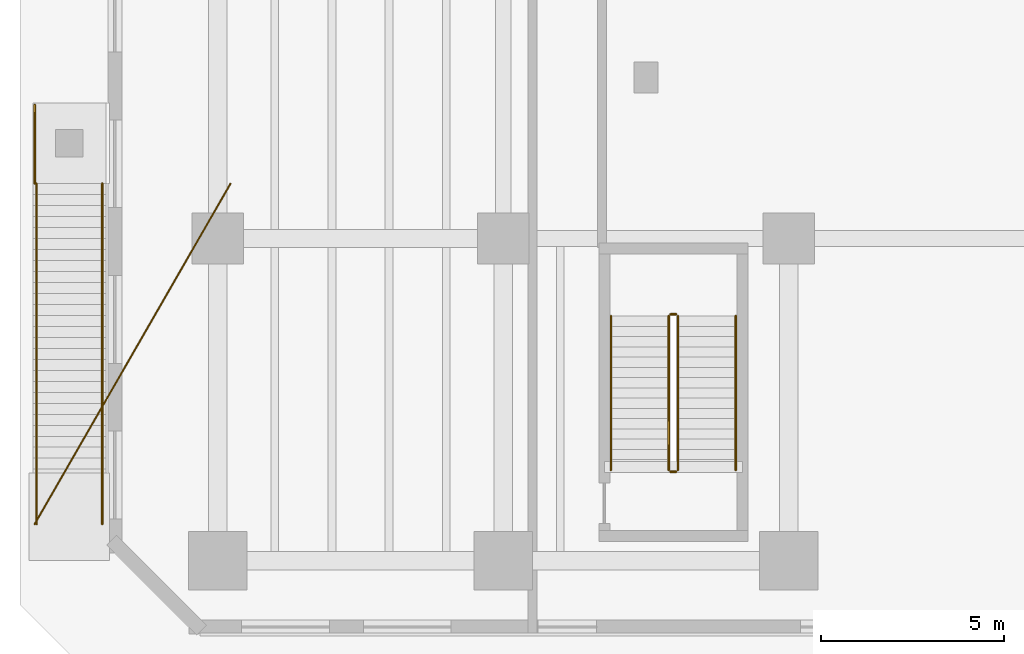
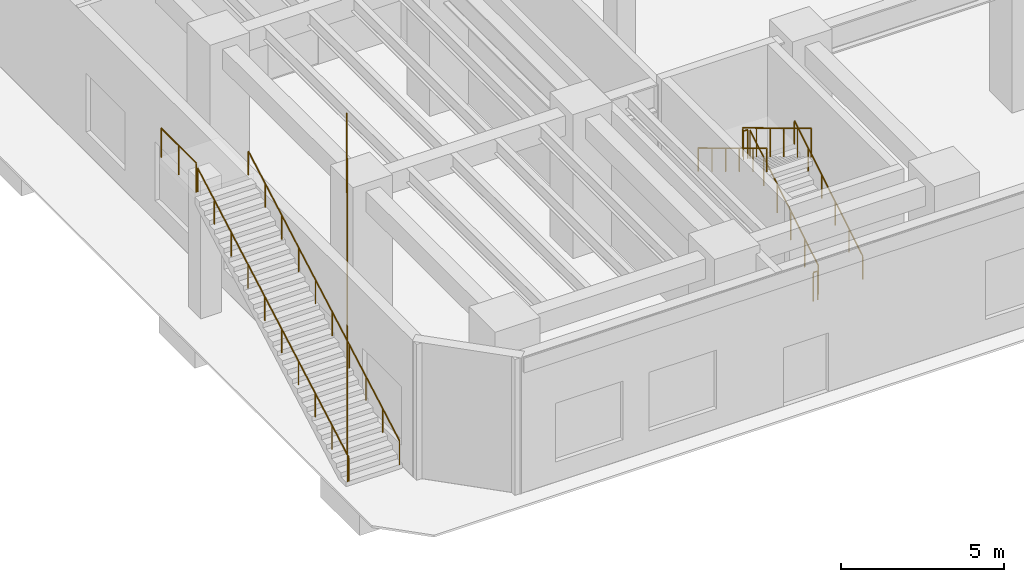
# One storey, part 13 of 17: 10 railings.
"""IFC4 building model written with IfcOpenShell, lengths in metres."""

from ifc_helpers import new_model, si_unit, direction, frame, origin, origin_2d, place, context, subcontext, project, spatial, circle, extrude, material, type_object, element, save


model = new_model("IFC4")

# Units and contexts
model_context = context("Model", 3, precision=1e-05, world=origin(), true_north=direction((0.0, 1.0)))
body_context = subcontext(model_context, "Body", "Model", "MODEL_VIEW")
ifc_project = project(units=[si_unit("LENGTHUNIT", "METRE"), si_unit("AREAUNIT", "SQUARE_METRE"), si_unit("VOLUMEUNIT", "CUBIC_METRE"), si_unit("PLANEANGLEUNIT", "RADIAN"), si_unit("MASSUNIT", "GRAM", prefix="KILO")], contexts=[model_context])

# Site, building, storey
site_placement = place(None, origin())
site = spatial("IfcSite", under=ifc_project, at=site_placement, CompositionType="ELEMENT")
building_placement = place(site_placement, origin())
building = spatial("IfcBuilding", under=site, at=building_placement, Name="Kestravale Grand Hotel", CompositionType="ELEMENT")
storey_placement = place(building_placement, origin())
storey = spatial("IfcBuildingStorey", under=building, at=storey_placement, Name="L00", CompositionType="ELEMENT", Elevation=0.0)

# Railings
ifc_material_1 = material(Name="Champagne-bronze stainless steel and laminated glass guard", Category="steel")
railing_type_1 = type_object("IfcRailingType", Name="RL-EXT-1100", PredefinedType="GUARDRAIL", material=ifc_material_1)
railing_1_placement = place(storey_placement, frame((-5.0, 3.39990234375, 0.168701171875)))
element("IfcRailing", 1, at=railing_1_placement, inside=storey, type_object=railing_type_1, Name="L00 garden stair flight guard", PredefinedType="GUARDRAIL", context=body_context, shape_type="SweptSolid", body=[
    extrude(circle(Radius=0.02392578125, at=origin_2d()), frame((0.0, 0.0, 1.09619140625), z_axis=(0.448213444943, 0.779127259204, 0.438252691649), x_axis=(-0.86680279175, 0.498651100685, 0.0)), (0.0, 0.0, 1.0), 11.9365234375),
    extrude(circle(Radius=0.02099609375, at=origin_2d()), origin(), (0.0, 0.0, 1.0), 1.072021484375),
    extrude(circle(Radius=0.02099609375, at=origin_2d()), frame((0.8916015625, 1.550048828125, 0.871826171875)), (0.0, 0.0, 1.0), 1.072021484375),
    extrude(circle(Radius=0.02099609375, at=origin_2d()), frame((1.783447265625, 3.10009765625, 1.74365234375)), (0.0, 0.0, 1.0), 1.072021484375),
    extrude(circle(Radius=0.02099609375, at=origin_2d()), frame((2.675048828125, 4.64990234375, 2.61572265625)), (0.0, 0.0, 1.0), 1.072021484375),
    extrude(circle(Radius=0.02099609375, at=origin_2d()), frame((3.566650390625, 6.199951171875, 3.487548828125)), (0.0, 0.0, 1.0), 1.072021484375),
    extrude(circle(Radius=0.02099609375, at=origin_2d()), frame((4.45849609375, 7.75, 4.359375)), (0.0, 0.0, 1.0), 1.072021484375),
    extrude(circle(Radius=0.02099609375, at=origin_2d()), frame((5.35009765625, 9.300048828125, 5.231201171875)), (0.0, 0.0, 1.0), 1.072021484375),
])
railing_2_placement = place(storey_placement, frame((-5.0, 12.699951171875, 5.39990234375)))
element("IfcRailing", 2, at=railing_2_placement, inside=storey, type_object=railing_type_1, Name="L00 garden stair landing guard", PredefinedType="GUARDRAIL", context=body_context, shape_type="SweptSolid", body=[
    extrude(circle(Radius=0.02392578125, at=origin_2d()), frame((0.0, 0.0, 1.09619140625), z_axis=(0.0, 1.0, 0.0), x_axis=(-1.0, 0.0, 0.0)), (0.0, 0.0, 1.0), 2.150146484375),
    extrude(circle(Radius=0.02099609375, at=origin_2d()), origin(), (0.0, 0.0, 1.0), 1.072021484375),
    extrude(circle(Radius=0.02099609375, at=origin_2d()), frame((0.0, 1.0751953125, 0.0)), (0.0, 0.0, 1.0), 1.072021484375),
    extrude(circle(Radius=0.02099609375, at=origin_2d()), frame((0.0, 2.150146484375, 0.0)), (0.0, 0.0, 1.0), 1.072021484375),
])
ifc_material_2 = material(Name="Brushed bronze stainless steel handrail", Category="steel")
railing_type_2 = type_object("IfcRailingType", Name="RL-EXT-915", PredefinedType="HANDRAIL", material=ifc_material_2)
for number, where, name in (
    (3, (-4.949951171875, 3.39990234375, 0.168701171875), "L00 garden stair handrail W"),
    (4, (-3.14990234375, 3.39990234375, 0.168701171875), "L00 garden stair handrail E"),
):
    element("IfcRailing", number, at=place(storey_placement, frame(where)), inside=storey, type_object=railing_type_2, Name=name, PredefinedType="HANDRAIL", context=body_context, shape_type="SweptSolid", body=[
        extrude(circle(Radius=0.02392578125, at=origin_2d()), frame((0.0, 0.0, 0.89111328125), z_axis=(0.0, 0.871578592338, 0.490255808102), x_axis=(-1.0, 0.0, 0.0)), (0.0, 0.0, 1.0), 10.67041015625),
        extrude(circle(Radius=0.02099609375, at=origin_2d()), origin(), (0.0, 0.0, 1.0), 0.866943359375),
        extrude(circle(Radius=0.02099609375, at=origin_2d()), frame((0.0, 1.033447265625, 0.581298828125)), (0.0, 0.0, 1.0), 0.866943359375),
        extrude(circle(Radius=0.02099609375, at=origin_2d()), frame((0.0, 2.066650390625, 1.16259765625)), (0.0, 0.0, 1.0), 0.866943359375),
        extrude(circle(Radius=0.02099609375, at=origin_2d()), frame((0.0, 3.10009765625, 1.74365234375)), (0.0, 0.0, 1.0), 0.866943359375),
        extrude(circle(Radius=0.02099609375, at=origin_2d()), frame((0.0, 4.13330078125, 2.324951171875)), (0.0, 0.0, 1.0), 0.866943359375),
        extrude(circle(Radius=0.02099609375, at=origin_2d()), frame((0.0, 5.166748046875, 2.90625)), (0.0, 0.0, 1.0), 0.866943359375),
        extrude(circle(Radius=0.02099609375, at=origin_2d()), frame((0.0, 6.199951171875, 3.487548828125)), (0.0, 0.0, 1.0), 0.866943359375),
        extrude(circle(Radius=0.02099609375, at=origin_2d()), frame((0.0, 7.2333984375, 4.068603515625)), (0.0, 0.0, 1.0), 0.866943359375),
        extrude(circle(Radius=0.02099609375, at=origin_2d()), frame((0.0, 8.2666015625, 4.64990234375)), (0.0, 0.0, 1.0), 0.866943359375),
        extrude(circle(Radius=0.02099609375, at=origin_2d()), frame((0.0, 9.300048828125, 5.231201171875)), (0.0, 0.0, 1.0), 0.866943359375),
    ])
ifc_material_3 = material(Name="Painted tubular steel stair well guard", Category="steel")
railing_type_3 = type_object("IfcRailingType", Name="RL-ST-GRD1100", PredefinedType="GUARDRAIL", material=ifc_material_3)
railing_3_placement = place(storey_placement, frame((12.570068359375, 4.8798828125, 0.168701171875)))
element("IfcRailing", 5, at=railing_3_placement, inside=storey, type_object=railing_type_3, Name="L00 ST-4 stair guard 1", PredefinedType="GUARDRAIL", context=body_context, shape_type="SweptSolid", body=[
    extrude(circle(Radius=0.02392578125, at=origin_2d()), frame((0.0, 0.0, 1.076171875), z_axis=(0.0, 0.856489757249, 0.516164020179), x_axis=(-1.0, 0.0, 0.0)), (0.0, 0.0, 1.0), 4.904052734375),
    extrude(circle(Radius=0.02099609375, at=origin_2d()), origin(), (0.0, 0.0, 1.0), 1.052001953125),
    extrude(circle(Radius=0.02099609375, at=origin_2d()), frame((0.0, 0.840087890625, 0.50634765625)), (0.0, 0.0, 1.0), 1.052001953125),
    extrude(circle(Radius=0.02099609375, at=origin_2d()), frame((0.0, 1.68017578125, 1.012451171875)), (0.0, 0.0, 1.0), 1.052001953125),
    extrude(circle(Radius=0.02099609375, at=origin_2d()), frame((0.0, 2.52001953125, 1.518798828125)), (0.0, 0.0, 1.0), 1.052001953125),
    extrude(circle(Radius=0.02099609375, at=origin_2d()), frame((0.0, 3.360107421875, 2.02490234375)), (0.0, 0.0, 1.0), 1.052001953125),
    extrude(circle(Radius=0.02099609375, at=origin_2d()), frame((0.0, 4.2001953125, 2.53125)), (0.0, 0.0, 1.0), 1.052001953125),
])
railing_4_placement = place(storey_placement, frame((12.52001953125, 9.1298828125, 2.699951171875)))
element("IfcRailing", 6, at=railing_4_placement, inside=storey, type_object=railing_type_3, Name="L00 ST-4 stair guard 2", PredefinedType="GUARDRAIL", context=body_context, shape_type="SweptSolid", body=[
    extrude(circle(Radius=0.02392578125, at=origin_2d()), frame((0.0, 0.0, 1.076171875), z_axis=(-1.0, 0.0, 0.0), x_axis=(0.0, -1.0, 0.0)), (0.0, 0.0, 1.0), 0.14990234375),
    extrude(circle(Radius=0.02099609375, at=origin_2d()), origin(), (0.0, 0.0, 1.0), 1.052001953125),
    extrude(circle(Radius=0.02099609375, at=origin_2d()), frame((-0.14990234375, 0.0, 0.0)), (0.0, 0.0, 1.0), 1.052001953125),
])
railing_5_placement = place(storey_placement, frame((12.320068359375, 9.080078125, 2.86865234375)))
element("IfcRailing", 7, at=railing_5_placement, inside=storey, type_object=railing_type_3, Name="L00 ST-4 stair guard 3", PredefinedType="GUARDRAIL", context=body_context, shape_type="SweptSolid", body=[
    extrude(circle(Radius=0.02392578125, at=origin_2d()), frame((0.0, 0.0, 1.076171875), z_axis=(0.0, -0.856489757249, 0.516164020179), x_axis=(1.0, 0.0, 0.0)), (0.0, 0.0, 1.0), 4.904052734375),
    extrude(circle(Radius=0.02099609375, at=origin_2d()), origin(), (0.0, 0.0, 1.0), 1.052001953125),
    extrude(circle(Radius=0.02099609375, at=origin_2d()), frame((0.0, -0.840087890625, 0.50634765625)), (0.0, 0.0, 1.0), 1.052001953125),
    extrude(circle(Radius=0.02099609375, at=origin_2d()), frame((0.0, -1.68017578125, 1.012451171875)), (0.0, 0.0, 1.0), 1.052001953125),
    extrude(circle(Radius=0.02099609375, at=origin_2d()), frame((0.0, -2.52001953125, 1.518798828125)), (0.0, 0.0, 1.0), 1.052001953125),
    extrude(circle(Radius=0.02099609375, at=origin_2d()), frame((0.0, -3.360107421875, 2.02490234375)), (0.0, 0.0, 1.0), 1.052001953125),
    extrude(circle(Radius=0.02099609375, at=origin_2d()), frame((0.0, -4.2001953125, 2.53125)), (0.0, 0.0, 1.0), 1.052001953125),
])
railing_6_placement = place(storey_placement, frame((12.52001953125, 4.830078125, 0.0)))
element("IfcRailing", 8, at=railing_6_placement, inside=storey, type_object=railing_type_3, Name="L00 ST-4 stair guard 4", PredefinedType="GUARDRAIL", context=body_context, shape_type="SweptSolid", body=[
    extrude(circle(Radius=0.02392578125, at=origin_2d()), frame((0.0, 0.0, 1.076171875), z_axis=(-1.0, 0.0, 0.0), x_axis=(0.0, -1.0, 0.0)), (0.0, 0.0, 1.0), 0.14990234375),
    extrude(circle(Radius=0.02099609375, at=origin_2d()), origin(), (0.0, 0.0, 1.0), 1.052001953125),
    extrude(circle(Radius=0.02099609375, at=origin_2d()), frame((-0.14990234375, 0.0, 0.0)), (0.0, 0.0, 1.0), 1.052001953125),
])
ifc_material_4 = material(Name="Brushed stainless steel wall handrail", Category="steel")
railing_type_4 = type_object("IfcRailingType", Name="RL-ST-HND900", PredefinedType="HANDRAIL", material=ifc_material_4)
railing_7_placement = place(storey_placement, frame((14.14990234375, 4.8798828125, 0.168701171875)))
element("IfcRailing", 9, at=railing_7_placement, inside=storey, type_object=railing_type_4, Name="L00 ST-4 stair handrail 1", PredefinedType="HANDRAIL", context=body_context, shape_type="SweptSolid", body=[
    extrude(circle(Radius=0.02392578125, at=origin_2d()), frame((0.0, 0.0, 0.8759765625), z_axis=(0.0, 0.856489757249, 0.516164020179), x_axis=(-1.0, 0.0, 0.0)), (0.0, 0.0, 1.0), 4.904052734375),
    extrude(circle(Radius=0.02099609375, at=origin_2d()), origin(), (0.0, 0.0, 1.0), 0.851806640625),
    extrude(circle(Radius=0.02099609375, at=origin_2d()), frame((0.0, 0.840087890625, 0.50634765625)), (0.0, 0.0, 1.0), 0.851806640625),
    extrude(circle(Radius=0.02099609375, at=origin_2d()), frame((0.0, 1.68017578125, 1.012451171875)), (0.0, 0.0, 1.0), 0.851806640625),
    extrude(circle(Radius=0.02099609375, at=origin_2d()), frame((0.0, 2.52001953125, 1.518798828125)), (0.0, 0.0, 1.0), 0.851806640625),
    extrude(circle(Radius=0.02099609375, at=origin_2d()), frame((0.0, 3.360107421875, 2.02490234375)), (0.0, 0.0, 1.0), 0.851806640625),
    extrude(circle(Radius=0.02099609375, at=origin_2d()), frame((0.0, 4.2001953125, 2.53125)), (0.0, 0.0, 1.0), 0.851806640625),
])
railing_8_placement = place(storey_placement, frame((10.739990234375, 9.080078125, 2.86865234375)))
element("IfcRailing", 10, at=railing_8_placement, inside=storey, type_object=railing_type_4, Name="L00 ST-4 stair handrail 2", PredefinedType="HANDRAIL", context=body_context, shape_type="SweptSolid", body=[
    extrude(circle(Radius=0.02392578125, at=origin_2d()), frame((0.0, 0.0, 0.8759765625), z_axis=(0.0, -0.856489757249, 0.516164020179), x_axis=(1.0, 0.0, 0.0)), (0.0, 0.0, 1.0), 4.904052734375),
    extrude(circle(Radius=0.02099609375, at=origin_2d()), origin(), (0.0, 0.0, 1.0), 0.851806640625),
    extrude(circle(Radius=0.02099609375, at=origin_2d()), frame((0.0, -0.840087890625, 0.50634765625)), (0.0, 0.0, 1.0), 0.851806640625),
    extrude(circle(Radius=0.02099609375, at=origin_2d()), frame((0.0, -1.68017578125, 1.012451171875)), (0.0, 0.0, 1.0), 0.851806640625),
    extrude(circle(Radius=0.02099609375, at=origin_2d()), frame((0.0, -2.52001953125, 1.518798828125)), (0.0, 0.0, 1.0), 0.851806640625),
    extrude(circle(Radius=0.02099609375, at=origin_2d()), frame((0.0, -3.360107421875, 2.02490234375)), (0.0, 0.0, 1.0), 0.851806640625),
    extrude(circle(Radius=0.02099609375, at=origin_2d()), frame((0.0, -4.2001953125, 2.53125)), (0.0, 0.0, 1.0), 0.851806640625),
])

save(model, "model.ifc")
